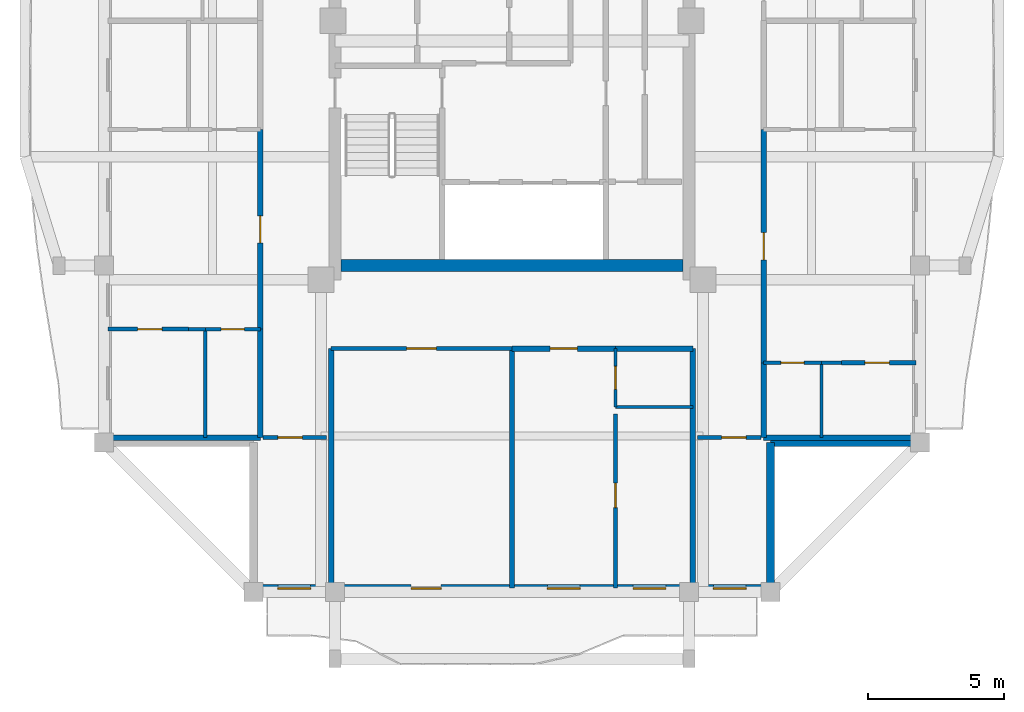
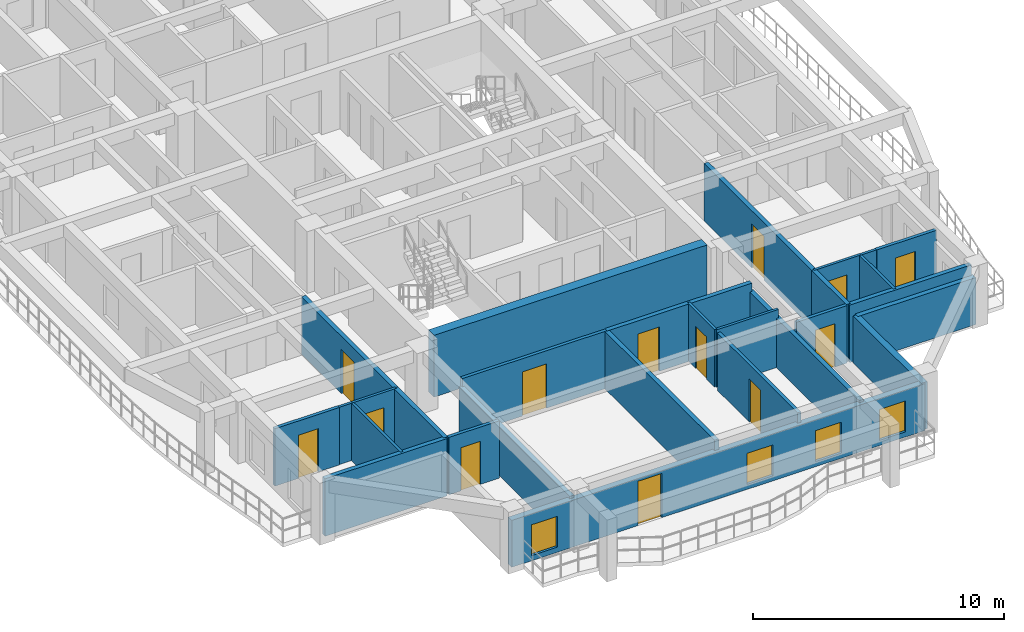
# One storey, part 2 of 12: 29 walls, 13 doors, 4 windows, 17 openings.
"""IFC4 building model written with IfcOpenShell, lengths in metres."""

from ifc_helpers import new_model, si_unit, direction, frame, frame_2d, origin, place, context, subcontext, project, spatial, rectangle, extrude, source, transform, mapped, material, layer, layer_set, type_object, element, fill, save


model = new_model("IFC4")

# Units and contexts
model_context = context("Model", 3, precision=1e-05, world=origin(), true_north=direction((0.0, 1.0)))
body_context = subcontext(model_context, "Body", "Model", "MODEL_VIEW")
ifc_project = project(units=[si_unit("LENGTHUNIT", "METRE"), si_unit("AREAUNIT", "SQUARE_METRE"), si_unit("VOLUMEUNIT", "CUBIC_METRE"), si_unit("PLANEANGLEUNIT", "RADIAN"), si_unit("MASSUNIT", "GRAM", prefix="KILO")], contexts=[model_context])

# Site, building, storey
site_placement = place(None, origin())
site = spatial("IfcSite", under=ifc_project, at=site_placement, CompositionType="ELEMENT")
building_placement = place(site_placement, origin())
building = spatial("IfcBuilding", under=site, at=building_placement, Name="Saelheon Loggia Tower", CompositionType="ELEMENT")
storey_placement = place(building_placement, frame((0.0, 0.0, 240.0)))
storey = spatial("IfcBuildingStorey", under=building, at=storey_placement, Name="L74", CompositionType="ELEMENT", Elevation=240.0)

# Wall
ifc_material_1 = material(Name="Concrete C45/55", Category="concrete")
ifc_layer_1 = layer(ifc_material_1, 0.449951171875)
ifc_layer_set_1 = layer_set([ifc_layer_1], Name="Concrete C45/55")
wall_type_1 = type_object("IfcWallType", Name="Wall_CoreShear_450", PredefinedType="SHEAR", material=ifc_layer_set_1)
wall_1_placement = place(storey_placement, frame((31.72509765625, 18.0, 0.0), z_axis=(0.0, 0.0, 1.0), x_axis=(1.0, 0.0, 0.0)))
element("IfcWall", 1, at=wall_1_placement, inside=storey, type_object=wall_type_1, Name="L74 Core Shear Wall South", PredefinedType="SHEAR", context=body_context, shape_type="SweptSolid", body=[
    extrude(rectangle(XDim=12.5498046875, YDim=0.449951171875, at=frame_2d((6.27490234375, 0.0))), origin(), (0.0, 0.0, 1.0), 3.0),
])

# Wall, openings, windows, door
ifc_material_2 = material(Name="Architectural Precast Concrete C40/50", Category="concrete")
ifc_layer_2 = layer(ifc_material_2, 0.280029296875)
ifc_layer_set_2 = layer_set([ifc_layer_2], Name="Architectural Precast Concrete C40/50")
wall_type_2 = type_object("IfcWallType", Name="Wall_Ext_Loggia_280", PredefinedType="SOLIDWALL", material=ifc_layer_set_2)
wall_2_placement = place(storey_placement, frame((28.5, 6.139892578125, 0.0), z_axis=(0.0, 0.0, 1.0), x_axis=(1.0, 0.0, 0.0)))
wall_2 = element("IfcWall", 2, at=wall_2_placement, inside=storey, type_object=wall_type_2, Name="L74 South Loggia Inner Wall", PredefinedType="SOLIDWALL", context=body_context, shape_type="SweptSolid", body=[
    extrude(rectangle(XDim=19.0, YDim=0.280029296875, at=frame_2d((9.5, 0.0))), origin(), (0.0, 0.0, 1.0), 2.280029296875),
])
opening_1_placement = place(wall_2_placement, frame((0.89990234375, 0.0, 0.25)))
opening_1 = element("IfcOpeningElement", 3, at=opening_1_placement, cuts=wall_2, Name="Opening WN-03", PredefinedType="OPENING", context=body_context, shape_type="SweptSolid", body=[
    extrude(rectangle(XDim=1.199951171875, YDim=1.5, at=frame_2d((0.60009765625, 0.75))), frame((0.0, 0.152099609375, 0.0), z_axis=(0.0, -1.0, 0.0), x_axis=(1.0, 0.0, 0.0)), (0.0, 0.0, 1.0), 0.303955078125),
])
opening_2_placement = place(wall_2_placement, frame((6.89501953125, 0.0, 0.0), z_axis=(0.0, 0.0, 1.0), x_axis=(-1.0, 0.0, 0.0)))
opening_2 = element("IfcOpeningElement", 4, at=opening_2_placement, cuts=wall_2, Name="Opening TD1", PredefinedType="OPENING", context=body_context, shape_type="SweptSolid", body=[
    extrude(rectangle(XDim=1.10009765625, YDim=2.14990234375, at=frame_2d((0.550048828125, 1.074951171875))), frame((0.0, 0.152099609375, 0.0), z_axis=(0.0, -1.0, 0.0), x_axis=(1.0, 0.0, 0.0)), (0.0, 0.0, 1.0), 0.303955078125),
])
opening_3_placement = place(wall_2_placement, frame((10.800048828125, 0.0, 0.25)))
opening_3 = element("IfcOpeningElement", 5, at=opening_3_placement, cuts=wall_2, Name="Opening WN-03", PredefinedType="OPENING", context=body_context, shape_type="SweptSolid", body=[
    extrude(rectangle(XDim=1.199951171875, YDim=1.5, at=frame_2d((0.60009765625, 0.75))), frame((0.0, 0.152099609375, 0.0), z_axis=(0.0, -1.0, 0.0), x_axis=(1.0, 0.0, 0.0)), (0.0, 0.0, 1.0), 0.303955078125),
])
opening_4_placement = place(wall_2_placement, frame((13.955078125, 0.0, 0.25)))
opening_4 = element("IfcOpeningElement", 6, at=opening_4_placement, cuts=wall_2, Name="Opening WN-03", PredefinedType="OPENING", context=body_context, shape_type="SweptSolid", body=[
    extrude(rectangle(XDim=1.199951171875, YDim=1.5, at=frame_2d((0.60009765625, 0.75))), frame((0.0, 0.152099609375, 0.0), z_axis=(0.0, -1.0, 0.0), x_axis=(1.0, 0.0, 0.0)), (0.0, 0.0, 1.0), 0.303955078125),
])
opening_5_placement = place(wall_2_placement, frame((16.89990234375, 0.0, 0.25)))
opening_5 = element("IfcOpeningElement", 7, at=opening_5_placement, cuts=wall_2, Name="Opening WN-03", PredefinedType="OPENING", context=body_context, shape_type="SweptSolid", body=[
    extrude(rectangle(XDim=1.199951171875, YDim=1.5, at=frame_2d((0.60009765625, 0.75))), frame((0.0, 0.152099609375, 0.0), z_axis=(0.0, -1.0, 0.0), x_axis=(1.0, 0.0, 0.0)), (0.0, 0.0, 1.0), 0.303955078125),
])
ifc_material_3 = material(Name="Thermal-Break Aluminium and Triple Low-E Glass", Category="aluminium")
window_type = type_object("IfcWindowType", Name="Win_Bedroom_1200x1500", PartitioningType="SINGLE_PANEL", PredefinedType="WINDOW", material=ifc_material_3)
shared_shape_1 = source(origin(), body_context, "Body", "SweptSolid", [
    extrude(rectangle(XDim=1.199951171875, YDim=1.5, at=frame_2d((0.60009765625, 0.75))), frame((0.0, 0.030029296875, 0.0), z_axis=(0.0, -1.0, 0.0), x_axis=(1.0, 0.0, 0.0)), (0.0, 0.0, 1.0), 0.06005859375),
])
window_1_placement = place(opening_1_placement, origin())
window_1 = element("IfcWindow", 8, at=window_1_placement, inside=storey, type_object=window_type, Name="L74 S Dwelling Window 1", OverallHeight=1.5, OverallWidth=1.199951171875, PartitioningType="SINGLE_PANEL", PredefinedType="WINDOW", context=body_context, shape_type="MappedRepresentation", body=[
    mapped(shared_shape_1, transform((0.0, 0.0, 0.0), scale=1.0)),
])
fill(opening_1, window_1)
window_2_placement = place(opening_3_placement, origin())
window_2 = element("IfcWindow", 9, at=window_2_placement, inside=storey, type_object=window_type, Name="L74 S Dwelling Window 3", OverallHeight=1.5, OverallWidth=1.199951171875, PartitioningType="SINGLE_PANEL", PredefinedType="WINDOW", context=body_context, shape_type="MappedRepresentation", body=[
    mapped(shared_shape_1, transform((0.0, 0.0, 0.0), scale=1.0)),
])
fill(opening_3, window_2)
window_3_placement = place(opening_4_placement, origin())
window_3 = element("IfcWindow", 10, at=window_3_placement, inside=storey, type_object=window_type, Name="L74 S Dwelling Window 4", OverallHeight=1.5, OverallWidth=1.199951171875, PartitioningType="SINGLE_PANEL", PredefinedType="WINDOW", context=body_context, shape_type="MappedRepresentation", body=[
    mapped(shared_shape_1, transform((0.0, 0.0, 0.0), scale=1.0)),
])
fill(opening_4, window_3)
window_4_placement = place(opening_5_placement, origin())
window_4 = element("IfcWindow", 11, at=window_4_placement, inside=storey, type_object=window_type, Name="L74 S Dwelling Window 5", OverallHeight=1.5, OverallWidth=1.199951171875, PartitioningType="SINGLE_PANEL", PredefinedType="WINDOW", context=body_context, shape_type="MappedRepresentation", body=[
    mapped(shared_shape_1, transform((0.0, 0.0, 0.0), scale=1.0)),
])
fill(opening_5, window_4)
ifc_material_4 = material(Name="Thermal-Break Aluminium Glazed Door", Category="aluminium")
door_type_1 = type_object("IfcDoorType", Name="Door_Terrace_TD1", OperationType="NOTDEFINED", PredefinedType="DOOR", material=ifc_material_4)
shared_shape_2 = source(origin(), body_context, "Body", "SweptSolid", [
    extrude(rectangle(XDim=1.10009765625, YDim=2.14990234375, at=frame_2d((0.550048828125, 1.074951171875))), frame((0.0, 0.02490234375, 0.0), z_axis=(0.0, -1.0, 0.0), x_axis=(1.0, 0.0, 0.0)), (0.0, 0.0, 1.0), 0.050048828125),
])
door_1_placement = place(opening_2_placement, origin())
door_1 = element("IfcDoor", 12, at=door_1_placement, inside=storey, type_object=door_type_1, Name="L74 S Loggia Access Door", OperationType="SINGLE_SWING_RIGHT", OverallHeight=2.14990234375, OverallWidth=1.10009765625, PredefinedType="DOOR", context=body_context, shape_type="MappedRepresentation", body=[
    mapped(shared_shape_2, transform((0.0, 0.0, 0.0), scale=1.0)),
])
fill(opening_2, door_1)

# Walls
for number, where, z_axis, x_axis, name in (
    (13, (47.5, 6.080078125, 0.0), (0.0, 0.0, 1.0), (0.0, 1.0, 0.0), "L74 Corner Notch Precast Wall SE1"),
    (14, (47.5, 11.5, 0.0), (0.0, 0.0, 1.0), (1.0, 0.0, 0.0), "L74 Corner Notch Precast Wall SE2"),
):
    element("IfcWall", number, at=place(storey_placement, frame(where, z_axis=z_axis, x_axis=x_axis)), inside=storey, type_object=wall_type_2, Name=name, PredefinedType="SOLIDWALL", context=body_context, shape_type="SweptSolid", body=[
        extrude(rectangle(XDim=5.419921875, YDim=0.280029296875, at=frame_2d((2.7099609375, 0.0))), origin(), (0.0, 0.0, 1.0), 2.280029296875),
    ])

# Wall, opening, door
ifc_material_5 = material(Name="Lightweight Autoclaved Aerated Concrete Block and Acoustic Gypsum", Category="concrete")
ifc_layer_3 = layer(ifc_material_5, 0.14990234375)
ifc_layer_set_3 = layer_set([ifc_layer_3], Name="Lightweight Autoclaved Aerated Concrete Block and Acoustic Gypsum")
wall_type_3 = type_object("IfcWallType", Name="Wall_Part_150", PredefinedType="PARTITIONING", material=ifc_layer_set_3)
wall_3_placement = place(storey_placement, frame((28.85009765625, 11.679931640625, 0.0), z_axis=(0.0, 0.0, 1.0), x_axis=(1.0, 0.0, 0.0)))
wall_3 = element("IfcWall", 15, at=wall_3_placement, inside=storey, type_object=wall_type_3, Name="PW-L74-CSW-H", PredefinedType="PARTITIONING", context=body_context, shape_type="SweptSolid", body=[
    extrude(rectangle(XDim=2.329833984375, YDim=0.14990234375, at=frame_2d((1.1650390625, 0.0))), origin(), (0.0, 0.0, 1.0), 2.7900390625),
])
opening_6_placement = place(wall_3_placement, frame((0.550048828125, 0.0, 0.0)))
opening_6 = element("IfcOpeningElement", 16, at=opening_6_placement, cuts=wall_3, Name="Opening D-IN2", PredefinedType="OPENING", context=body_context, shape_type="SweptSolid", body=[
    extrude(rectangle(XDim=0.89990234375, YDim=2.10009765625, at=frame_2d((0.449951171875, 1.050048828125))), frame((0.0, 0.0869140625, 0.0), z_axis=(0.0, -1.0, 0.0), x_axis=(1.0, 0.0, 0.0)), (0.0, 0.0, 1.0), 0.173828125),
])
ifc_material_6 = material(Name="Engineered Oak Flush Door", Category="timber")
door_type_2 = type_object("IfcDoorType", Name="Door_Int_900", OperationType="NOTDEFINED", PredefinedType="DOOR", material=ifc_material_6)
shared_shape_3 = source(origin(), body_context, "Body", "SweptSolid", [
    extrude(rectangle(XDim=0.89990234375, YDim=2.10009765625, at=frame_2d((0.449951171875, 1.050048828125))), frame((0.0, 0.02490234375, 0.0), z_axis=(0.0, -1.0, 0.0), x_axis=(1.0, 0.0, 0.0)), (0.0, 0.0, 1.0), 0.050048828125),
])
door_2_placement = place(opening_6_placement, origin())
door_2 = element("IfcDoor", 17, at=door_2_placement, inside=storey, type_object=door_type_2, Name="L74 Corner Home Office SW Door", OperationType="SINGLE_SWING_LEFT", OverallHeight=2.10009765625, OverallWidth=0.89990234375, PredefinedType="DOOR", context=body_context, shape_type="MappedRepresentation", body=[
    mapped(shared_shape_3, transform((0.0, 0.0, 0.0), scale=1.0)),
])
fill(opening_6, door_2)

wall_4_placement = place(storey_placement, frame((44.820068359375, 11.679931640625, 0.0), z_axis=(0.0, 0.0, 1.0), x_axis=(1.0, 0.0, 0.0)))
wall_4 = element("IfcWall", 18, at=wall_4_placement, inside=storey, type_object=wall_type_3, Name="PW-L74-CSE-H", PredefinedType="PARTITIONING", context=body_context, shape_type="SweptSolid", body=[
    extrude(rectangle(XDim=2.329833984375, YDim=0.14990234375, at=frame_2d((1.1650390625, 0.0))), origin(), (0.0, 0.0, 1.0), 2.7900390625),
])
opening_7_placement = place(wall_4_placement, frame((0.8798828125, 0.0, 0.0)))
opening_7 = element("IfcOpeningElement", 19, at=opening_7_placement, cuts=wall_4, Name="Opening D-IN2", PredefinedType="OPENING", context=body_context, shape_type="SweptSolid", body=[
    extrude(rectangle(XDim=0.89990234375, YDim=2.10009765625, at=frame_2d((0.449951171875, 1.050048828125))), frame((0.0, 0.0869140625, 0.0), z_axis=(0.0, -1.0, 0.0), x_axis=(1.0, 0.0, 0.0)), (0.0, 0.0, 1.0), 0.173828125),
])
door_3_placement = place(opening_7_placement, origin())
door_3 = element("IfcDoor", 20, at=door_3_placement, inside=storey, type_object=door_type_2, Name="L74 Corner Reading Room SE Door", OperationType="SINGLE_SWING_LEFT", OverallHeight=2.10009765625, OverallWidth=0.89990234375, PredefinedType="DOOR", context=body_context, shape_type="MappedRepresentation", body=[
    mapped(shared_shape_3, transform((0.0, 0.0, 0.0), scale=1.0)),
])
fill(opening_7, door_3)

wall_5_placement = place(storey_placement, frame((31.35009765625, 14.949951171875, 0.0), z_axis=(0.0, 0.0, 1.0), x_axis=(1.0, 0.0, 0.0)))
wall_5 = element("IfcWall", 21, at=wall_5_placement, inside=storey, type_object=wall_type_3, Name="L74 S Partition V03", PredefinedType="PARTITIONING", context=body_context, shape_type="SweptSolid", body=[
    extrude(rectangle(XDim=6.64990234375, YDim=0.14990234375, at=frame_2d((3.324951171875, 0.0))), origin(), (0.0, 0.0, 1.0), 2.7900390625),
])
opening_8_placement = place(wall_5_placement, frame((2.77490234375, 0.0, 0.0)))
opening_8 = element("IfcOpeningElement", 22, at=opening_8_placement, cuts=wall_5, Name="Opening D-FD2", PredefinedType="OPENING", context=body_context, shape_type="SweptSolid", body=[
    extrude(rectangle(XDim=1.10009765625, YDim=2.14990234375, at=frame_2d((0.550048828125, 1.074951171875))), frame((0.0, 0.0869140625, 0.0), z_axis=(0.0, -1.0, 0.0), x_axis=(1.0, 0.0, 0.0)), (0.0, 0.0, 1.0), 0.173828125),
])
ifc_material_7 = material(Name="Galvanised Steel Fire Door", Category="steel")
door_type_3 = type_object("IfcDoorType", Name="Door_Fire_FD60_1100", OperationType="NOTDEFINED", PredefinedType="DOOR", material=ifc_material_7)
door_4_placement = place(opening_8_placement, origin())
door_4 = element("IfcDoor", 23, at=door_4_placement, inside=storey, type_object=door_type_3, Name="L74 Community Reading Library Door A", OperationType="SINGLE_SWING_LEFT", OverallHeight=2.14990234375, OverallWidth=1.10009765625, PredefinedType="DOOR", context=body_context, shape_type="MappedRepresentation", body=[
    mapped(shared_shape_2, transform((0.0, 0.0, 0.0), scale=1.0)),
])
fill(opening_8, door_4)

wall_6_placement = place(storey_placement, frame((41.800048828125, 12.550048828125, 0.0), z_axis=(0.0, 0.0, 1.0), x_axis=(0.0, -1.0, 0.0)))
wall_6 = element("IfcWall", 24, at=wall_6_placement, inside=storey, type_object=wall_type_3, Name="L74 S Partition U09", PredefinedType="PARTITIONING", context=body_context, shape_type="SweptSolid", body=[
    extrude(rectangle(XDim=6.400146484375, YDim=0.14990234375, at=frame_2d((3.2001953125, 0.0))), origin(), (0.0, 0.0, 1.0), 2.7900390625),
])
opening_9_placement = place(wall_6_placement, frame((2.540771484375, 0.0, 0.0)))
opening_9 = element("IfcOpeningElement", 25, at=opening_9_placement, cuts=wall_6, Name="Opening D-IN2", PredefinedType="OPENING", context=body_context, shape_type="SweptSolid", body=[
    extrude(rectangle(XDim=0.89990234375, YDim=2.10009765625, at=frame_2d((0.449951171875, 1.050048828125))), frame((0.0, 0.0869140625, 0.0), z_axis=(0.0, -1.0, 0.0), x_axis=(1.0, 0.0, 0.0)), (0.0, 0.0, 1.0), 0.173828125),
])
door_5_placement = place(opening_9_placement, origin())
door_5 = element("IfcDoor", 26, at=door_5_placement, inside=storey, type_object=door_type_2, Name="Unit U01 Kitchen Door", OperationType="SINGLE_SWING_RIGHT", OverallHeight=2.10009765625, OverallWidth=0.89990234375, PredefinedType="DOOR", context=body_context, shape_type="MappedRepresentation", body=[
    mapped(shared_shape_3, transform((0.0, 0.0, 0.0), scale=1.0)),
])
fill(opening_9, door_5)

wall_7_placement = place(storey_placement, frame((26.110107421875, 15.6630859375, 0.0), z_axis=(0.0, 0.0, 1.0), x_axis=(-1.0, 0.0, 0.0)))
wall_7 = element("IfcWall", 27, at=wall_7_placement, inside=storey, type_object=wall_type_3, Name="L74 W Partition U10", PredefinedType="PARTITIONING", context=body_context, shape_type="SweptSolid", body=[
    extrude(rectangle(XDim=2.960205078125, YDim=0.14990234375, at=frame_2d((1.47998046875, 0.0))), origin(), (0.0, 0.0, 1.0), 2.7900390625),
])
opening_10_placement = place(wall_7_placement, frame((0.964111328125, 0.0, 0.0)))
opening_10 = element("IfcOpeningElement", 28, at=opening_10_placement, cuts=wall_7, Name="Opening D-IN2", PredefinedType="OPENING", context=body_context, shape_type="SweptSolid", body=[
    extrude(rectangle(XDim=0.89990234375, YDim=2.10009765625, at=frame_2d((0.449951171875, 1.050048828125))), frame((0.0, 0.0869140625, 0.0), z_axis=(0.0, -1.0, 0.0), x_axis=(1.0, 0.0, 0.0)), (0.0, 0.0, 1.0), 0.173828125),
])
door_6_placement = place(opening_10_placement, origin())
door_6 = element("IfcDoor", 29, at=door_6_placement, inside=storey, type_object=door_type_2, Name="Unit U03 Bedroom 2 Door", OperationType="SINGLE_SWING_RIGHT", OverallHeight=2.10009765625, OverallWidth=0.89990234375, PredefinedType="DOOR", context=body_context, shape_type="MappedRepresentation", body=[
    mapped(shared_shape_3, transform((0.0, 0.0, 0.0), scale=1.0)),
])
fill(opening_10, door_6)

wall_8_placement = place(storey_placement, frame((50.10009765625, 14.429931640625, 0.0), z_axis=(0.0, 0.0, 1.0), x_axis=(1.0, 0.0, 0.0)))
wall_8 = element("IfcWall", 30, at=wall_8_placement, inside=storey, type_object=wall_type_3, Name="L74 E Partition U10", PredefinedType="PARTITIONING", context=body_context, shape_type="SweptSolid", body=[
    extrude(rectangle(XDim=2.75, YDim=0.14990234375, at=frame_2d((1.375, 0.0))), origin(), (0.0, 0.0, 1.0), 2.7900390625),
])
opening_11_placement = place(wall_8_placement, frame((0.867919921875, 0.0, 0.0)))
opening_11 = element("IfcOpeningElement", 31, at=opening_11_placement, cuts=wall_8, Name="Opening D-IN2", PredefinedType="OPENING", context=body_context, shape_type="SweptSolid", body=[
    extrude(rectangle(XDim=0.89990234375, YDim=2.10009765625, at=frame_2d((0.449951171875, 1.050048828125))), frame((0.0, 0.0869140625, 0.0), z_axis=(0.0, -1.0, 0.0), x_axis=(1.0, 0.0, 0.0)), (0.0, 0.0, 1.0), 0.173828125),
])
door_7_placement = place(opening_11_placement, origin())
door_7 = element("IfcDoor", 32, at=door_7_placement, inside=storey, type_object=door_type_2, Name="Unit U05 Kitchen Door", OperationType="SINGLE_SWING_RIGHT", OverallHeight=2.10009765625, OverallWidth=0.89990234375, PredefinedType="DOOR", context=body_context, shape_type="MappedRepresentation", body=[
    mapped(shared_shape_3, transform((0.0, 0.0, 0.0), scale=1.0)),
])
fill(opening_11, door_7)

# Walls
ifc_material_8 = material(Name="Double Acoustic Stud and Fireboard Partition", Category="gypsum")
ifc_layer_4 = layer(ifc_material_8, 0.199951171875)
ifc_layer_set_4 = layer_set([ifc_layer_4], Name="Double Acoustic Stud and Fireboard Partition")
wall_type_4 = type_object("IfcWallType", Name="Wall_Party_200", PredefinedType="PARTITIONING", material=ifc_layer_set_4)
for number, where, z_axis, x_axis, name in (
    (33, (31.35009765625, 14.949951171875, 0.0), (0.0, 0.0, 1.0), (0.0, -1.0, 0.0), "L74 S Partition U01"),
    (34, (44.64990234375, 14.949951171875, 0.0), (0.0, 0.0, 1.0), (0.0, -1.0, 0.0), "L74 S Partition U02"),
):
    element("IfcWall", number, at=place(storey_placement, frame(where, z_axis=z_axis, x_axis=x_axis)), inside=storey, type_object=wall_type_4, Name=name, PredefinedType="PARTITIONING", context=body_context, shape_type="SweptSolid", body=[
        extrude(rectangle(XDim=8.800048828125, YDim=0.199951171875, at=frame_2d((4.39990234375, 0.0))), origin(), (0.0, 0.0, 1.0), 2.389892578125),
    ])
wall_9_placement = place(storey_placement, frame((38.0, 14.949951171875, 0.0), z_axis=(0.0, 0.0, 1.0), x_axis=(0.0, -1.0, 0.0)))
element("IfcWall", 35, at=wall_9_placement, inside=storey, type_object=wall_type_4, Name="L74 S Partition U04", PredefinedType="PARTITIONING", context=body_context, shape_type="SweptSolid", body=[
    extrude(rectangle(XDim=8.800048828125, YDim=0.199951171875, at=frame_2d((4.39990234375, 0.0))), origin(), (0.0, 0.0, 1.0), 2.7900390625),
])

# Wall, opening, door
wall_10_placement = place(storey_placement, frame((38.0, 14.949951171875, 0.0), z_axis=(0.0, 0.0, 1.0), x_axis=(1.0, 0.0, 0.0)))
wall_10 = element("IfcWall", 36, at=wall_10_placement, inside=storey, type_object=wall_type_4, Name="L74 S Partition V05", PredefinedType="PARTITIONING", context=body_context, shape_type="SweptSolid", body=[
    extrude(rectangle(XDim=3.800048828125, YDim=0.199951171875, at=frame_2d((1.89990234375, 0.0))), origin(), (0.0, 0.0, 1.0), 2.7900390625),
])
opening_12_placement = place(wall_10_placement, frame((1.39990234375, 0.0, 0.0)))
opening_12 = element("IfcOpeningElement", 37, at=opening_12_placement, cuts=wall_10, Name="Opening D-FD1", PredefinedType="OPENING", context=body_context, shape_type="SweptSolid", body=[
    extrude(rectangle(XDim=1.0, YDim=2.14990234375, at=frame_2d((0.5, 1.074951171875))), frame((0.0, 0.112060546875, 0.0), z_axis=(0.0, -1.0, 0.0), x_axis=(1.0, 0.0, 0.0)), (0.0, 0.0, 1.0), 0.223876953125),
])
ifc_material_9 = material(Name="Fire-Rated Engineered Timber Entrance Door", Category="wood")
door_type_4 = type_object("IfcDoorType", Name="Door_Flat_FD30S", OperationType="NOTDEFINED", PredefinedType="DOOR", material=ifc_material_9)
shared_shape_4 = source(origin(), body_context, "Body", "SweptSolid", [
    extrude(rectangle(XDim=1.0, YDim=2.14990234375, at=frame_2d((0.5, 1.074951171875))), frame((0.0, 0.02490234375, 0.0), z_axis=(0.0, -1.0, 0.0), x_axis=(1.0, 0.0, 0.0)), (0.0, 0.0, 1.0), 0.050048828125),
])
door_8_placement = place(opening_12_placement, origin())
door_8 = element("IfcDoor", 38, at=door_8_placement, inside=storey, type_object=door_type_4, Name="Unit U01 Entrance Door", OperationType="SINGLE_SWING_RIGHT", OverallHeight=2.14990234375, OverallWidth=1.0, PredefinedType="DOOR", context=body_context, shape_type="MappedRepresentation", body=[
    mapped(shared_shape_4, transform((0.0, 0.0, 0.0), scale=1.0)),
])
fill(opening_12, door_8)

# Walls
wall_11_placement = place(storey_placement, frame((41.800048828125, 14.949951171875, 0.0), z_axis=(0.0, 0.0, 1.0), x_axis=(1.0, 0.0, 0.0)))
element("IfcWall", 39, at=wall_11_placement, inside=storey, type_object=wall_type_4, Name="L74 S Partition V06", PredefinedType="PARTITIONING", context=body_context, shape_type="SweptSolid", body=[
    extrude(rectangle(XDim=2.849853515625, YDim=0.199951171875, at=frame_2d((1.4248046875, 0.0))), origin(), (0.0, 0.0, 1.0), 2.7900390625),
])
wall_12_placement = place(storey_placement, frame((28.75, 11.679931640625, 0.0), z_axis=(0.0, 0.0, 1.0), x_axis=(-1.0, 0.0, 0.0)))
element("IfcWall", 40, at=wall_12_placement, inside=storey, type_object=wall_type_4, Name="L74 W Partition U01", PredefinedType="PARTITIONING", context=body_context, shape_type="SweptSolid", body=[
    extrude(rectangle(XDim=5.60009765625, YDim=0.199951171875, at=frame_2d((2.800048828125, 0.0))), origin(), (0.0, 0.0, 1.0), 2.7900390625),
])
wall_13_placement = place(storey_placement, frame((28.75, 11.679931640625, 0.0), z_axis=(0.0, 0.0, 1.0), x_axis=(0.0, 1.0, 0.0)))
element("IfcWall", 41, at=wall_13_placement, inside=storey, type_object=wall_type_4, Name="L74 W Partition V03", PredefinedType="PARTITIONING", context=body_context, shape_type="SweptSolid", body=[
    extrude(rectangle(XDim=3.983154296875, YDim=0.199951171875, at=frame_2d((1.99169921875, 0.0))), origin(), (0.0, 0.0, 1.0), 2.7900390625),
])

# Wall, opening, door
wall_14_placement = place(storey_placement, frame((28.75, 15.6630859375, 0.0), z_axis=(0.0, 0.0, 1.0), x_axis=(0.0, 1.0, 0.0)))
wall_14 = element("IfcWall", 42, at=wall_14_placement, inside=storey, type_object=wall_type_4, Name="L74 W Partition V04", PredefinedType="PARTITIONING", context=body_context, shape_type="SweptSolid", body=[
    extrude(rectangle(XDim=7.3369140625, YDim=0.199951171875, at=frame_2d((3.66845703125, 0.0))), origin(), (0.0, 0.0, 1.0), 2.7900390625),
])
opening_13_placement = place(wall_14_placement, frame((3.16845703125, 0.0, 0.0)))
opening_13 = element("IfcOpeningElement", 43, at=opening_13_placement, cuts=wall_14, Name="Opening D-FD1", PredefinedType="OPENING", context=body_context, shape_type="SweptSolid", body=[
    extrude(rectangle(XDim=1.0, YDim=2.14990234375, at=frame_2d((0.5, 1.074951171875))), frame((0.0, 0.112060546875, 0.0), z_axis=(0.0, -1.0, 0.0), x_axis=(1.0, 0.0, 0.0)), (0.0, 0.0, 1.0), 0.223876953125),
])
door_9_placement = place(opening_13_placement, origin())
door_9 = element("IfcDoor", 44, at=door_9_placement, inside=storey, type_object=door_type_4, Name="Unit U03 Entrance Door", OperationType="SINGLE_SWING_RIGHT", OverallHeight=2.14990234375, OverallWidth=1.0, PredefinedType="DOOR", context=body_context, shape_type="MappedRepresentation", body=[
    mapped(shared_shape_4, transform((0.0, 0.0, 0.0), scale=1.0)),
])
fill(opening_13, door_9)

# Walls
wall_15_placement = place(storey_placement, frame((47.25, 11.679931640625, 0.0), z_axis=(0.0, 0.0, 1.0), x_axis=(1.0, 0.0, 0.0)))
element("IfcWall", 45, at=wall_15_placement, inside=storey, type_object=wall_type_4, Name="L74 E Partition U01", PredefinedType="PARTITIONING", context=body_context, shape_type="SweptSolid", body=[
    extrude(rectangle(XDim=5.60009765625, YDim=0.199951171875, at=frame_2d((2.800048828125, 0.0))), origin(), (0.0, 0.0, 1.0), 2.7900390625),
])
wall_16_placement = place(storey_placement, frame((47.25, 11.679931640625, 0.0), z_axis=(0.0, 0.0, 1.0), x_axis=(0.0, 1.0, 0.0)))
element("IfcWall", 46, at=wall_16_placement, inside=storey, type_object=wall_type_4, Name="L74 E Partition V03", PredefinedType="PARTITIONING", context=body_context, shape_type="SweptSolid", body=[
    extrude(rectangle(XDim=2.75, YDim=0.199951171875, at=frame_2d((1.375, 0.0))), origin(), (0.0, 0.0, 1.0), 2.7900390625),
])

# Wall, opening, door
wall_17_placement = place(storey_placement, frame((47.25, 14.429931640625, 0.0), z_axis=(0.0, 0.0, 1.0), x_axis=(0.0, 1.0, 0.0)))
wall_17 = element("IfcWall", 47, at=wall_17_placement, inside=storey, type_object=wall_type_4, Name="L74 E Partition V04", PredefinedType="PARTITIONING", context=body_context, shape_type="SweptSolid", body=[
    extrude(rectangle(XDim=8.570068359375, YDim=0.199951171875, at=frame_2d((4.28515625, 0.0))), origin(), (0.0, 0.0, 1.0), 2.7900390625),
])
opening_14_placement = place(wall_17_placement, frame((3.784912109375, 0.0, 0.0)))
opening_14 = element("IfcOpeningElement", 48, at=opening_14_placement, cuts=wall_17, Name="Opening D-FD1", PredefinedType="OPENING", context=body_context, shape_type="SweptSolid", body=[
    extrude(rectangle(XDim=1.0, YDim=2.14990234375, at=frame_2d((0.5, 1.074951171875))), frame((0.0, 0.112060546875, 0.0), z_axis=(0.0, -1.0, 0.0), x_axis=(1.0, 0.0, 0.0)), (0.0, 0.0, 1.0), 0.223876953125),
])
door_10_placement = place(opening_14_placement, origin())
door_10 = element("IfcDoor", 49, at=door_10_placement, inside=storey, type_object=door_type_4, Name="Unit U05 Entrance Door", OperationType="SINGLE_SWING_RIGHT", OverallHeight=2.14990234375, OverallWidth=1.0, PredefinedType="DOOR", context=body_context, shape_type="MappedRepresentation", body=[
    mapped(shared_shape_4, transform((0.0, 0.0, 0.0), scale=1.0)),
])
fill(opening_14, door_10)

ifc_material_10 = material(Name="Moisture-Resistant Cement Board Partition", Category="gypsum")
ifc_layer_5 = layer(ifc_material_10, 0.1201171875)
ifc_layer_set_5 = layer_set([ifc_layer_5], Name="Moisture-Resistant Cement Board Partition")
wall_type_5 = type_object("IfcWallType", Name="Wall_WetPart_120", PredefinedType="PARTITIONING", material=ifc_layer_set_5)
wall_18_placement = place(storey_placement, frame((41.800048828125, 14.949951171875, 0.0), z_axis=(0.0, 0.0, 1.0), x_axis=(0.0, -1.0, 0.0)))
wall_18 = element("IfcWall", 50, at=wall_18_placement, inside=storey, type_object=wall_type_5, Name="L74 S Partition U07", PredefinedType="PARTITIONING", context=body_context, shape_type="SweptSolid", body=[
    extrude(rectangle(XDim=2.14990234375, YDim=0.1201171875, at=frame_2d((1.074951171875, 0.0))), origin(), (0.0, 0.0, 1.0), 2.7900390625),
])
opening_15_placement = place(wall_18_placement, frame((0.64990234375, 0.0, 0.0)))
opening_15 = element("IfcOpeningElement", 51, at=opening_15_placement, cuts=wall_18, Name="Opening D-BT1", PredefinedType="OPENING", context=body_context, shape_type="SweptSolid", body=[
    extrude(rectangle(XDim=0.85009765625, YDim=2.050048828125, at=frame_2d((0.425048828125, 1.02490234375))), frame((0.0, 0.072021484375, 0.0), z_axis=(0.0, -1.0, 0.0), x_axis=(1.0, 0.0, 0.0)), (0.0, 0.0, 1.0), 0.14404296875),
])
ifc_material_11 = material(Name="Moisture-Resistant Laminate Timber Door", Category="wood")
door_type_5 = type_object("IfcDoorType", Name="Door_Bath_850", OperationType="NOTDEFINED", PredefinedType="DOOR", material=ifc_material_11)
shared_shape_5 = source(origin(), body_context, "Body", "SweptSolid", [
    extrude(rectangle(XDim=0.85009765625, YDim=2.050048828125, at=frame_2d((0.425048828125, 1.02490234375))), frame((0.0, 0.02490234375, 0.0), z_axis=(0.0, -1.0, 0.0), x_axis=(1.0, 0.0, 0.0)), (0.0, 0.0, 1.0), 0.050048828125),
])
door_11_placement = place(opening_15_placement, origin())
door_11 = element("IfcDoor", 52, at=door_11_placement, inside=storey, type_object=door_type_5, Name="Unit U01 Bathroom Door", OperationType="SINGLE_SWING_LEFT", OverallHeight=2.050048828125, OverallWidth=0.85009765625, PredefinedType="DOOR", context=body_context, shape_type="MappedRepresentation", body=[
    mapped(shared_shape_5, transform((0.0, 0.0, 0.0), scale=1.0)),
])
fill(opening_15, door_11)

# Walls
wall_19_placement = place(storey_placement, frame((41.800048828125, 12.800048828125, 0.0), z_axis=(0.0, 0.0, 1.0), x_axis=(1.0, 0.0, 0.0)))
element("IfcWall", 53, at=wall_19_placement, inside=storey, type_object=wall_type_5, Name="L74 S Partition V08", PredefinedType="PARTITIONING", context=body_context, shape_type="SweptSolid", body=[
    extrude(rectangle(XDim=2.849853515625, YDim=0.1201171875, at=frame_2d((1.4248046875, 0.0))), origin(), (0.0, 0.0, 1.0), 2.7900390625),
])
wall_20_placement = place(storey_placement, frame((26.72998046875, 11.679931640625, 0.0), z_axis=(0.0, 0.0, 1.0), x_axis=(0.0, 1.0, 0.0)))
element("IfcWall", 54, at=wall_20_placement, inside=storey, type_object=wall_type_5, Name="L74 W Partition V06", PredefinedType="PARTITIONING", context=body_context, shape_type="SweptSolid", body=[
    extrude(rectangle(XDim=3.983154296875, YDim=0.1201171875, at=frame_2d((1.99169921875, 0.0))), origin(), (0.0, 0.0, 1.0), 2.7900390625),
])

# Wall, opening, door
wall_21_placement = place(storey_placement, frame((28.75, 15.6630859375, 0.0), z_axis=(0.0, 0.0, 1.0), x_axis=(-1.0, 0.0, 0.0)))
wall_21 = element("IfcWall", 55, at=wall_21_placement, inside=storey, type_object=wall_type_5, Name="L74 W Partition U08", PredefinedType="PARTITIONING", context=body_context, shape_type="SweptSolid", body=[
    extrude(rectangle(XDim=2.02001953125, YDim=0.1201171875, at=frame_2d((1.010009765625, 0.0))), origin(), (0.0, 0.0, 1.0), 2.7900390625),
])
opening_16_placement = place(wall_21_placement, frame((0.5849609375, 0.0, 0.0)))
opening_16 = element("IfcOpeningElement", 56, at=opening_16_placement, cuts=wall_21, Name="Opening D-BT1", PredefinedType="OPENING", context=body_context, shape_type="SweptSolid", body=[
    extrude(rectangle(XDim=0.85009765625, YDim=2.050048828125, at=frame_2d((0.425048828125, 1.02490234375))), frame((0.0, 0.072021484375, 0.0), z_axis=(0.0, -1.0, 0.0), x_axis=(1.0, 0.0, 0.0)), (0.0, 0.0, 1.0), 0.14404296875),
])
door_12_placement = place(opening_16_placement, origin())
door_12 = element("IfcDoor", 57, at=door_12_placement, inside=storey, type_object=door_type_5, Name="Unit U03 Bathroom Door", OperationType="SINGLE_SWING_LEFT", OverallHeight=2.050048828125, OverallWidth=0.85009765625, PredefinedType="DOOR", context=body_context, shape_type="MappedRepresentation", body=[
    mapped(shared_shape_5, transform((0.0, 0.0, 0.0), scale=1.0)),
])
fill(opening_16, door_12)

# Walls
wall_22_placement = place(storey_placement, frame((26.72998046875, 15.6630859375, 0.0), z_axis=(0.0, 0.0, 1.0), x_axis=(-1.0, 0.0, 0.0)))
element("IfcWall", 58, at=wall_22_placement, inside=storey, type_object=wall_type_5, Name="L74 W Partition U09", PredefinedType="PARTITIONING", context=body_context, shape_type="SweptSolid", body=[
    extrude(rectangle(XDim=0.619873046875, YDim=0.1201171875, at=frame_2d((0.31005859375, 0.0))), origin(), (0.0, 0.0, 1.0), 2.7900390625),
])
wall_23_placement = place(storey_placement, frame((49.3701171875, 11.679931640625, 0.0), z_axis=(0.0, 0.0, 1.0), x_axis=(0.0, 1.0, 0.0)))
element("IfcWall", 59, at=wall_23_placement, inside=storey, type_object=wall_type_5, Name="L74 E Partition V06", PredefinedType="PARTITIONING", context=body_context, shape_type="SweptSolid", body=[
    extrude(rectangle(XDim=2.75, YDim=0.1201171875, at=frame_2d((1.375, 0.0))), origin(), (0.0, 0.0, 1.0), 2.7900390625),
])

# Wall, opening, door
wall_24_placement = place(storey_placement, frame((47.25, 14.429931640625, 0.0), z_axis=(0.0, 0.0, 1.0), x_axis=(1.0, 0.0, 0.0)))
wall_24 = element("IfcWall", 60, at=wall_24_placement, inside=storey, type_object=wall_type_5, Name="L74 E Partition U08", PredefinedType="PARTITIONING", context=body_context, shape_type="SweptSolid", body=[
    extrude(rectangle(XDim=2.1201171875, YDim=0.1201171875, at=frame_2d((1.06005859375, 0.0))), origin(), (0.0, 0.0, 1.0), 2.7900390625),
])
opening_17_placement = place(wall_24_placement, frame((0.635009765625, 0.0, 0.0)))
opening_17 = element("IfcOpeningElement", 61, at=opening_17_placement, cuts=wall_24, Name="Opening D-BT1", PredefinedType="OPENING", context=body_context, shape_type="SweptSolid", body=[
    extrude(rectangle(XDim=0.85009765625, YDim=2.050048828125, at=frame_2d((0.425048828125, 1.02490234375))), frame((0.0, 0.072021484375, 0.0), z_axis=(0.0, -1.0, 0.0), x_axis=(1.0, 0.0, 0.0)), (0.0, 0.0, 1.0), 0.14404296875),
])
door_13_placement = place(opening_17_placement, origin())
door_13 = element("IfcDoor", 62, at=door_13_placement, inside=storey, type_object=door_type_5, Name="Unit U05 Bathroom Door", OperationType="SINGLE_SWING_LEFT", OverallHeight=2.050048828125, OverallWidth=0.85009765625, PredefinedType="DOOR", context=body_context, shape_type="MappedRepresentation", body=[
    mapped(shared_shape_5, transform((0.0, 0.0, 0.0), scale=1.0)),
])
fill(opening_17, door_13)

# Wall
wall_25_placement = place(storey_placement, frame((49.3701171875, 14.429931640625, 0.0), z_axis=(0.0, 0.0, 1.0), x_axis=(1.0, 0.0, 0.0)))
element("IfcWall", 63, at=wall_25_placement, inside=storey, type_object=wall_type_5, Name="L74 E Partition U09", PredefinedType="PARTITIONING", context=body_context, shape_type="SweptSolid", body=[
    extrude(rectangle(XDim=0.72998046875, YDim=0.1201171875, at=frame_2d((0.364990234375, 0.0))), origin(), (0.0, 0.0, 1.0), 2.7900390625),
])

save(model, "model.ifc")
